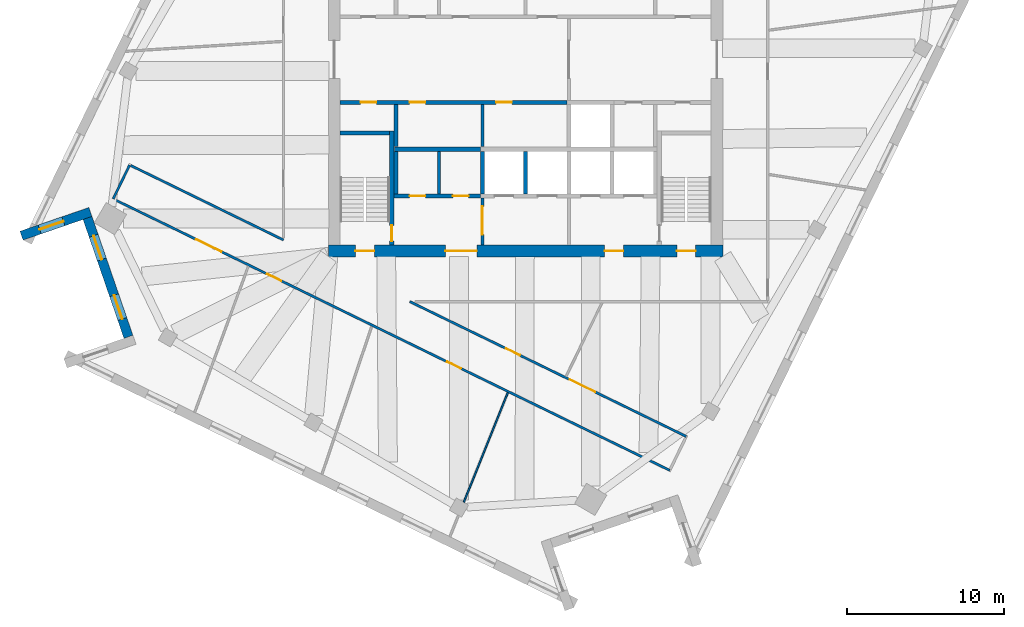
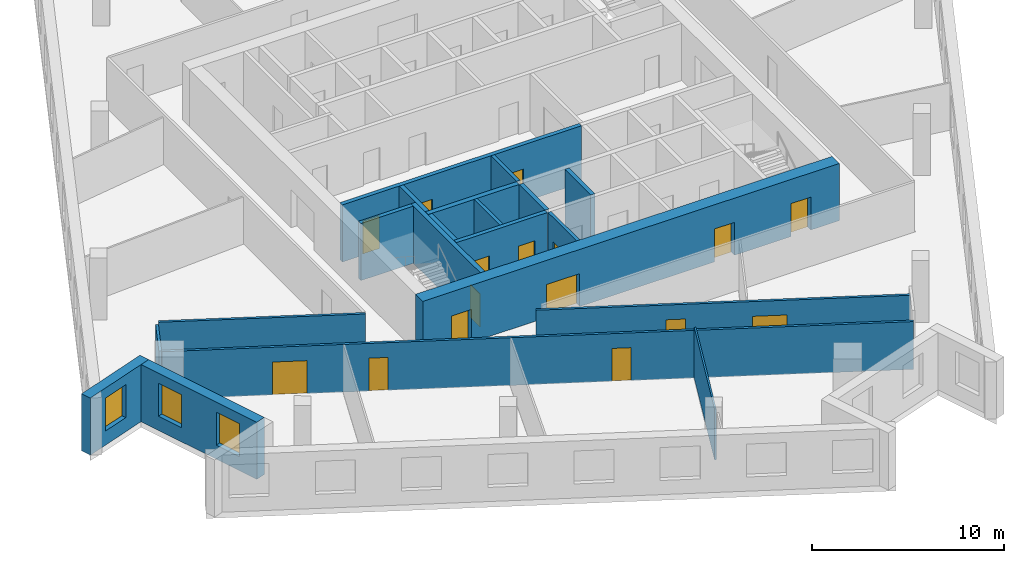
# One storey, part 6 of 13: 20 walls, 16 doors, 3 windows, 19 openings.
"""IFC4 building model written with IfcOpenShell, lengths in metres."""

from ifc_helpers import new_model, si_unit, direction, frame, frame_2d, origin, place, context, subcontext, project, spatial, rectangle, extrude, material, layer, layer_set, type_object, element, fill, save


model = new_model("IFC4")

# Units and contexts
model_context = context("Model", 3, precision=1e-05, world=origin(), true_north=direction((0.0, 1.0)))
body_context = subcontext(model_context, "Body", "Model", "MODEL_VIEW")
ifc_project = project(units=[si_unit("LENGTHUNIT", "METRE"), si_unit("AREAUNIT", "SQUARE_METRE"), si_unit("VOLUMEUNIT", "CUBIC_METRE"), si_unit("PLANEANGLEUNIT", "RADIAN"), si_unit("MASSUNIT", "GRAM", prefix="KILO")], contexts=[model_context])

# Site, building, storey
site_placement = place(None, origin())
site = spatial("IfcSite", under=ifc_project, at=site_placement, CompositionType="ELEMENT")
building_placement = place(site_placement, origin())
building = spatial("IfcBuilding", under=site, at=building_placement, Name="Dilmun Exchange Tower", CompositionType="ELEMENT")
storey_placement = place(building_placement, frame((0.0, 0.0, 286.89990234375)))
storey = spatial("IfcBuildingStorey", under=building, at=storey_placement, Name="L68", CompositionType="ELEMENT", Elevation=286.89990234375)

# Wall, opening, door
ifc_material_1 = material(Name="Concrete C40/50", Category="concrete")
ifc_layer_1 = layer(ifc_material_1, 0.199951171875)
ifc_layer_set_1 = layer_set([ifc_layer_1], Name="Concrete C40/50")
wall_type_1 = type_object("IfcWallType", Name="Core partition wall 200", PredefinedType="PARTITIONING", material=ifc_layer_set_1)
wall_1_placement = place(storey_placement, frame((-2.75, -11.794921875, 0.0), z_axis=(0.0, 0.0, 1.0), x_axis=(0.0, 1.0, 0.0)))
wall_1 = element("IfcWall", 1, at=wall_1_placement, inside=storey, type_object=wall_type_1, Name="L68 core partition wall 01", PredefinedType="PARTITIONING", context=body_context, shape_type="SweptSolid", body=[
    extrude(rectangle(XDim=2.989990234375, YDim=0.199951171875, at=frame_2d((1.4951171875, 0.0))), origin(), (0.0, 0.0, 1.0), 3.64013671875),
])
opening_1_placement = place(wall_1_placement, frame((0.657470703125, 0.0, 0.0)))
opening_1 = element("IfcOpeningElement", 2, at=opening_1_placement, cuts=wall_1, Name="Opening CD5", PredefinedType="OPENING", context=body_context, shape_type="SweptSolid", body=[
    extrude(rectangle(XDim=1.800048828125, YDim=2.10009765625, at=frame_2d((0.89990234375, 1.050048828125))), frame((0.0, 0.10986328125, 0.0), z_axis=(0.0, -1.0, 0.0), x_axis=(1.0, 0.0, 0.0)), (0.0, 0.0, 1.0), 0.219970703125),
])
ifc_material_2 = material(Name="Fire-rated steel door set", Category="steel")
door_type_1 = type_object("IfcDoorType", Name="Stair exit door 1800x2100", OperationType="SINGLE_SWING_LEFT", PredefinedType="DOOR", material=ifc_material_2)
door_1_placement = place(opening_1_placement, origin())
door_1 = element("IfcDoor", 3, at=door_1_placement, inside=storey, type_object=door_type_1, Name="L68 door Service lobby east", OperationType="SINGLE_SWING_LEFT", OverallHeight=2.10009765625, OverallWidth=1.800048828125, PredefinedType="DOOR", context=body_context, shape_type="SweptSolid", body=[
    extrude(rectangle(XDim=1.800048828125, YDim=2.10009765625, at=frame_2d((0.89990234375, 1.050048828125))), frame((0.0, 0.02490234375, 0.0), z_axis=(0.0, -1.0, 0.0), x_axis=(1.0, 0.0, 0.0)), (0.0, 0.0, 1.0), 0.050048828125),
])
fill(opening_1, door_1)

# Walls
for number, where, z_axis, x_axis, name in (
    (4, (-5.5, -8.544921875, 0.0), (0.0, 0.0, 1.0), (0.0, 1.0, 0.0), "L68 core partition wall 05"),
    (5, (-2.75, -5.544921875, 0.0), (0.0, 0.0, 1.0), (0.0, 1.0, 0.0), "L68 core partition wall 08"),
):
    element("IfcWall", number, at=place(storey_placement, frame(where, z_axis=z_axis, x_axis=x_axis)), inside=storey, type_object=wall_type_1, Name=name, PredefinedType="PARTITIONING", context=body_context, shape_type="SweptSolid", body=[
        extrude(rectangle(XDim=2.68994140625, YDim=0.199951171875, at=frame_2d((1.344970703125, 0.0))), origin(), (0.0, 0.0, 1.0), 3.64013671875),
    ])

# Wall, openings, doors
ifc_layer_2 = layer(ifc_material_1, 0.25)
ifc_layer_set_2 = layer_set([ifc_layer_2], Name="Concrete C40/50")
wall_type_2 = type_object("IfcWallType", Name="Core partition wall 250", PredefinedType="PARTITIONING", material=ifc_layer_set_2)
wall_2_placement = place(storey_placement, frame((-8.3701171875, -8.675048828125, 0.0), z_axis=(0.0, 0.0, 1.0), x_axis=(1.0, 0.0, 0.0)))
wall_2 = element("IfcWall", 6, at=wall_2_placement, inside=storey, type_object=wall_type_2, Name="L68 core partition wall 03", PredefinedType="PARTITIONING", context=body_context, shape_type="SweptSolid", body=[
    extrude(rectangle(XDim=5.490234375, YDim=0.25, at=frame_2d((2.7451171875, 0.0))), origin(), (0.0, 0.0, 1.0), 3.64013671875),
])
opening_2_placement = place(wall_2_placement, frame((0.9951171875, 0.0, 0.0)))
opening_2 = element("IfcOpeningElement", 7, at=opening_2_placement, cuts=wall_2, Name="Opening CD4", PredefinedType="OPENING", context=body_context, shape_type="SweptSolid", body=[
    extrude(rectangle(XDim=1.0, YDim=2.10009765625, at=frame_2d((0.5, 1.050048828125))), frame((0.0, 0.135009765625, 0.0), z_axis=(0.0, -1.0, 0.0), x_axis=(1.0, 0.0, 0.0)), (0.0, 0.0, 1.0), 0.27001953125),
])
opening_3_placement = place(wall_2_placement, frame((3.7451171875, 0.0, 0.0)))
opening_3 = element("IfcOpeningElement", 8, at=opening_3_placement, cuts=wall_2, Name="Opening CD4", PredefinedType="OPENING", context=body_context, shape_type="SweptSolid", body=[
    extrude(rectangle(XDim=1.0, YDim=2.10009765625, at=frame_2d((0.5, 1.050048828125))), frame((0.0, 0.135009765625, 0.0), z_axis=(0.0, -1.0, 0.0), x_axis=(1.0, 0.0, 0.0)), (0.0, 0.0, 1.0), 0.27001953125),
])
door_type_2 = type_object("IfcDoorType", Name="Core room door 1000x2100", OperationType="SINGLE_SWING_LEFT", PredefinedType="DOOR", material=ifc_material_2)
door_2_placement = place(opening_2_placement, origin())
door_2 = element("IfcDoor", 9, at=door_2_placement, inside=storey, type_object=door_type_2, Name="L68 door Male WC", OperationType="SINGLE_SWING_LEFT", OverallHeight=2.10009765625, OverallWidth=1.0, PredefinedType="DOOR", context=body_context, shape_type="SweptSolid", body=[
    extrude(rectangle(XDim=1.0, YDim=2.10009765625, at=frame_2d((0.5, 1.050048828125))), frame((0.0, 0.02490234375, 0.0), z_axis=(0.0, -1.0, 0.0), x_axis=(1.0, 0.0, 0.0)), (0.0, 0.0, 1.0), 0.050048828125),
])
fill(opening_2, door_2)
door_3_placement = place(opening_3_placement, origin())
door_3 = element("IfcDoor", 10, at=door_3_placement, inside=storey, type_object=door_type_2, Name="L68 door Female WC", OperationType="SINGLE_SWING_LEFT", OverallHeight=2.10009765625, OverallWidth=1.0, PredefinedType="DOOR", context=body_context, shape_type="SweptSolid", body=[
    extrude(rectangle(XDim=1.0, YDim=2.10009765625, at=frame_2d((0.5, 1.050048828125))), frame((0.0, 0.02490234375, 0.0), z_axis=(0.0, -1.0, 0.0), x_axis=(1.0, 0.0, 0.0)), (0.0, 0.0, 1.0), 0.050048828125),
])
fill(opening_3, door_3)

# Walls
for number, where, z_axis, x_axis, name in (
    (11, (-8.25, -8.544921875, 0.0), (0.0, 0.0, 1.0), (0.0, 1.0, 0.0), "L68 core partition wall 04"),
    (12, (-8.25, -5.544921875, 0.0), (0.0, 0.0, 1.0), (0.0, 1.0, 0.0), "L68 core partition wall 07"),
):
    element("IfcWall", number, at=place(storey_placement, frame(where, z_axis=z_axis, x_axis=x_axis)), inside=storey, type_object=wall_type_2, Name=name, PredefinedType="PARTITIONING", context=body_context, shape_type="SweptSolid", body=[
        extrude(rectangle(XDim=2.68994140625, YDim=0.25, at=frame_2d((1.344970703125, 0.0))), origin(), (0.0, 0.0, 1.0), 3.64013671875),
    ])

# Wall, openings, doors
wall_3_placement = place(storey_placement, frame((-11.794921875, -2.72509765625, 0.0), z_axis=(0.0, 0.0, 1.0), x_axis=(1.0, 0.0, 0.0)))
wall_3 = element("IfcWall", 13, at=wall_3_placement, inside=storey, type_object=wall_type_2, Name="L68 core partition wall 10", PredefinedType="PARTITIONING", context=body_context, shape_type="SweptSolid", body=[
    extrude(rectangle(XDim=14.4150390625, YDim=0.25, at=frame_2d((7.20751953125, 0.0))), origin(), (0.0, 0.0, 1.0), 3.64013671875),
])
opening_4_placement = place(wall_3_placement, frame((1.294921875, 0.0, 0.0)))
opening_4 = element("IfcOpeningElement", 14, at=opening_4_placement, cuts=wall_3, Name="Opening CD4", PredefinedType="OPENING", context=body_context, shape_type="SweptSolid", body=[
    extrude(rectangle(XDim=1.0, YDim=2.10009765625, at=frame_2d((0.5, 1.050048828125))), frame((0.0, 0.135009765625, 0.0), z_axis=(0.0, -1.0, 0.0), x_axis=(1.0, 0.0, 0.0)), (0.0, 0.0, 1.0), 0.27001953125),
])
opening_5_placement = place(wall_3_placement, frame((4.419921875, 0.0, 0.0)))
opening_5 = element("IfcOpeningElement", 15, at=opening_5_placement, cuts=wall_3, Name="Opening CD4", PredefinedType="OPENING", context=body_context, shape_type="SweptSolid", body=[
    extrude(rectangle(XDim=1.0, YDim=2.10009765625, at=frame_2d((0.5, 1.050048828125))), frame((0.0, 0.135009765625, 0.0), z_axis=(0.0, -1.0, 0.0), x_axis=(1.0, 0.0, 0.0)), (0.0, 0.0, 1.0), 0.27001953125),
])
opening_6_placement = place(wall_3_placement, frame((9.919921875, 0.0, 0.0)))
opening_6 = element("IfcOpeningElement", 16, at=opening_6_placement, cuts=wall_3, Name="Opening CD4", PredefinedType="OPENING", context=body_context, shape_type="SweptSolid", body=[
    extrude(rectangle(XDim=1.0, YDim=2.10009765625, at=frame_2d((0.5, 1.050048828125))), frame((0.0, 0.135009765625, 0.0), z_axis=(0.0, -1.0, 0.0), x_axis=(1.0, 0.0, 0.0)), (0.0, 0.0, 1.0), 0.27001953125),
])
door_4_placement = place(opening_4_placement, origin())
door_4 = element("IfcDoor", 17, at=door_4_placement, inside=storey, type_object=door_type_2, Name="L68 door Accessible WC", OperationType="SINGLE_SWING_LEFT", OverallHeight=2.10009765625, OverallWidth=1.0, PredefinedType="DOOR", context=body_context, shape_type="SweptSolid", body=[
    extrude(rectangle(XDim=1.0, YDim=2.10009765625, at=frame_2d((0.5, 1.050048828125))), frame((0.0, 0.02490234375, 0.0), z_axis=(0.0, -1.0, 0.0), x_axis=(1.0, 0.0, 0.0)), (0.0, 0.0, 1.0), 0.050048828125),
])
fill(opening_4, door_4)
door_5_placement = place(opening_5_placement, origin())
door_5 = element("IfcDoor", 18, at=door_5_placement, inside=storey, type_object=door_type_2, Name="L68 door Tenant services room", OperationType="SINGLE_SWING_LEFT", OverallHeight=2.10009765625, OverallWidth=1.0, PredefinedType="DOOR", context=body_context, shape_type="SweptSolid", body=[
    extrude(rectangle(XDim=1.0, YDim=2.10009765625, at=frame_2d((0.5, 1.050048828125))), frame((0.0, 0.02490234375, 0.0), z_axis=(0.0, -1.0, 0.0), x_axis=(1.0, 0.0, 0.0)), (0.0, 0.0, 1.0), 0.050048828125),
])
fill(opening_5, door_5)
door_6_placement = place(opening_6_placement, origin())
door_6 = element("IfcDoor", 19, at=door_6_placement, inside=storey, type_object=door_type_2, Name="L68 door Archive store", OperationType="SINGLE_SWING_LEFT", OverallHeight=2.10009765625, OverallWidth=1.0, PredefinedType="DOOR", context=body_context, shape_type="SweptSolid", body=[
    extrude(rectangle(XDim=1.0, YDim=2.10009765625, at=frame_2d((0.5, 1.050048828125))), frame((0.0, 0.02490234375, 0.0), z_axis=(0.0, -1.0, 0.0), x_axis=(1.0, 0.0, 0.0)), (0.0, 0.0, 1.0), 0.050048828125),
])
fill(opening_6, door_6)

# Wall
ifc_layer_3 = layer(ifc_material_1, 0.300048828125)
ifc_layer_set_3 = layer_set([ifc_layer_3], Name="Concrete C40/50")
wall_type_3 = type_object("IfcWallType", Name="Core partition wall 300", PredefinedType="PARTITIONING", material=ifc_layer_set_3)
wall_4_placement = place(storey_placement, frame((-8.35009765625, -5.699951171875, 0.0), z_axis=(0.0, 0.0, 1.0), x_axis=(1.0, 0.0, 0.0)))
element("IfcWall", 20, at=wall_4_placement, inside=storey, type_object=wall_type_3, Name="L68 core partition wall 06", PredefinedType="PARTITIONING", context=body_context, shape_type="SweptSolid", body=[
    extrude(rectangle(XDim=5.47021484375, YDim=0.300048828125, at=frame_2d((2.735107421875, 0.0))), origin(), (0.0, 0.0, 1.0), 3.64013671875),
])

# Wall, openings, doors
ifc_material_3 = material(Name="Concrete C50/60", Category="concrete")
ifc_layer_4 = layer(ifc_material_3, 0.75)
ifc_layer_set_4 = layer_set([ifc_layer_4], Name="Concrete C50/60")
wall_type_4 = type_object("IfcWallType", Name="Core shear wall 750 Concrete C50/60", PredefinedType="SHEAR", material=ifc_layer_set_4)
wall_5_placement = place(storey_placement, frame((-12.550048828125, -12.175048828125, 0.0), z_axis=(0.0, 0.0, 1.0), x_axis=(1.0, 0.0, 0.0)))
wall_5 = element("IfcWall", 21, at=wall_5_placement, inside=storey, type_object=wall_type_4, Name="L68 core shear wall S", PredefinedType="SHEAR", context=body_context, shape_type="SweptSolid", body=[
    extrude(rectangle(XDim=25.10009765625, YDim=0.75, at=frame_2d((12.550048828125, 0.0))), origin(), (0.0, 0.0, 1.0), 3.64013671875),
])
opening_7_placement = place(wall_5_placement, frame((7.449951171875, 0.0, 0.0)))
opening_7 = element("IfcOpeningElement", 22, at=opening_7_placement, cuts=wall_5, Name="Opening CD2", PredefinedType="OPENING", context=body_context, shape_type="SweptSolid", body=[
    extrude(rectangle(XDim=2.0, YDim=2.10009765625, at=frame_2d((1.0, 1.050048828125))), frame((0.0, 0.385009765625, 0.0), z_axis=(0.0, -1.0, 0.0), x_axis=(1.0, 0.0, 0.0)), (0.0, 0.0, 1.0), 0.77001953125),
])
opening_8_placement = place(wall_5_placement, frame((17.574951171875, 0.0, 0.0)))
opening_8 = element("IfcOpeningElement", 23, at=opening_8_placement, cuts=wall_5, Name="Opening CD3", PredefinedType="OPENING", context=body_context, shape_type="SweptSolid", body=[
    extrude(rectangle(XDim=1.199951171875, YDim=2.10009765625, at=frame_2d((0.60009765625, 1.050048828125))), frame((0.0, 0.385009765625, 0.0), z_axis=(0.0, -1.0, 0.0), x_axis=(1.0, 0.0, 0.0)), (0.0, 0.0, 1.0), 0.77001953125),
])
opening_9_placement = place(wall_5_placement, frame((1.72509765625, 0.0, 0.0)))
opening_9 = element("IfcOpeningElement", 24, at=opening_9_placement, cuts=wall_5, Name="Opening CD3", PredefinedType="OPENING", context=body_context, shape_type="SweptSolid", body=[
    extrude(rectangle(XDim=1.199951171875, YDim=2.10009765625, at=frame_2d((0.60009765625, 1.050048828125))), frame((0.0, 0.385009765625, 0.0), z_axis=(0.0, -1.0, 0.0), x_axis=(1.0, 0.0, 0.0)), (0.0, 0.0, 1.0), 0.77001953125),
])
opening_10_placement = place(wall_5_placement, frame((22.175048828125, 0.0, 0.0)))
opening_10 = element("IfcOpeningElement", 25, at=opening_10_placement, cuts=wall_5, Name="Opening CD3", PredefinedType="OPENING", context=body_context, shape_type="SweptSolid", body=[
    extrude(rectangle(XDim=1.199951171875, YDim=2.10009765625, at=frame_2d((0.60009765625, 1.050048828125))), frame((0.0, 0.385009765625, 0.0), z_axis=(0.0, -1.0, 0.0), x_axis=(1.0, 0.0, 0.0)), (0.0, 0.0, 1.0), 0.77001953125),
])
door_type_3 = type_object("IfcDoorType", Name="Core service door 2000x2100", OperationType="DOUBLE_DOOR_DOUBLE_SWING", PredefinedType="DOOR", material=ifc_material_2)
door_7_placement = place(opening_7_placement, origin())
door_7 = element("IfcDoor", 26, at=door_7_placement, inside=storey, type_object=door_type_3, Name="L68 door South service lobby", OperationType="SINGLE_SWING_LEFT", OverallHeight=2.10009765625, OverallWidth=2.0, PredefinedType="DOOR", context=body_context, shape_type="SweptSolid", body=[
    extrude(rectangle(XDim=2.0, YDim=2.10009765625, at=frame_2d((1.0, 1.050048828125))), frame((0.0, 0.02490234375, 0.0), z_axis=(0.0, -1.0, 0.0), x_axis=(1.0, 0.0, 0.0)), (0.0, 0.0, 1.0), 0.050048828125),
])
fill(opening_7, door_7)
door_type_4 = type_object("IfcDoorType", Name="Stair exit door 1200x2100", OperationType="SINGLE_SWING_LEFT", PredefinedType="DOOR", material=ifc_material_2)
door_8_placement = place(opening_8_placement, origin())
door_8 = element("IfcDoor", 27, at=door_8_placement, inside=storey, type_object=door_type_4, Name="L68 door Fire-fighting lobby", OperationType="SINGLE_SWING_LEFT", OverallHeight=2.10009765625, OverallWidth=1.199951171875, PredefinedType="DOOR", context=body_context, shape_type="SweptSolid", body=[
    extrude(rectangle(XDim=1.199951171875, YDim=2.10009765625, at=frame_2d((0.60009765625, 1.050048828125))), frame((0.0, 0.02490234375, 0.0), z_axis=(0.0, -1.0, 0.0), x_axis=(1.0, 0.0, 0.0)), (0.0, 0.0, 1.0), 0.050048828125),
])
fill(opening_8, door_8)
door_9_placement = place(opening_9_placement, origin())
door_9 = element("IfcDoor", 28, at=door_9_placement, inside=storey, type_object=door_type_4, Name="L68 door Stair ST2", OperationType="SINGLE_SWING_LEFT", OverallHeight=2.10009765625, OverallWidth=1.199951171875, PredefinedType="DOOR", context=body_context, shape_type="SweptSolid", body=[
    extrude(rectangle(XDim=1.199951171875, YDim=2.10009765625, at=frame_2d((0.60009765625, 1.050048828125))), frame((0.0, 0.02490234375, 0.0), z_axis=(0.0, -1.0, 0.0), x_axis=(1.0, 0.0, 0.0)), (0.0, 0.0, 1.0), 0.050048828125),
])
fill(opening_9, door_9)
door_10_placement = place(opening_10_placement, origin())
door_10 = element("IfcDoor", 29, at=door_10_placement, inside=storey, type_object=door_type_4, Name="L68 door Stair ST3", OperationType="SINGLE_SWING_LEFT", OverallHeight=2.10009765625, OverallWidth=1.199951171875, PredefinedType="DOOR", context=body_context, shape_type="SweptSolid", body=[
    extrude(rectangle(XDim=1.199951171875, YDim=2.10009765625, at=frame_2d((0.60009765625, 1.050048828125))), frame((0.0, 0.02490234375, 0.0), z_axis=(0.0, -1.0, 0.0), x_axis=(1.0, 0.0, 0.0)), (0.0, 0.0, 1.0), 0.050048828125),
])
fill(opening_10, door_10)

# Wall
ifc_material_4 = material(Name="Corridor wall 150")
ifc_layer_5 = layer(ifc_material_4, 0.14990234375)
ifc_layer_set_5 = layer_set([ifc_layer_5], Name="Corridor wall 150")
wall_type_5 = type_object("IfcWallType", Name="Corridor wall 150", PredefinedType="PARTITIONING", material=ifc_layer_set_5)
wall_6_placement = place(storey_placement, frame((-26.241943359375, -8.864990234375, 0.0), z_axis=(0.0, 0.0, 1.0), x_axis=(0.438361496965, 0.898798752769, 0.0)))
element("IfcWall", 30, at=wall_6_placement, inside=storey, type_object=wall_type_5, Name="Corridor wall", PredefinedType="PARTITIONING", context=body_context, shape_type="SweptSolid", body=[
    extrude(rectangle(XDim=2.39990234375, YDim=0.14990234375, at=frame_2d((1.199951171875, 0.0))), origin(), (0.0, 0.0, 1.0), 3.0400390625),
])

# Wall, openings, doors
wall_7_placement = place(storey_placement, frame((-26.174560546875, -8.89794921875, 0.0), z_axis=(0.0, 0.0, 1.0), x_axis=(0.898795233888, -0.438368711864, 0.0)))
wall_7 = element("IfcWall", 31, at=wall_7_placement, inside=storey, type_object=wall_type_5, Name="Corridor wall", PredefinedType="PARTITIONING", context=body_context, shape_type="SweptSolid", body=[
    extrude(rectangle(XDim=39.325439453125, YDim=0.14990234375, at=frame_2d((19.66259765625, 0.0))), origin(), (0.0, 0.0, 1.0), 3.0400390625),
])
opening_11_placement = place(wall_7_placement, frame((5.800048828125, 0.0, 0.0)))
opening_11 = element("IfcOpeningElement", 32, at=opening_11_placement, cuts=wall_7, Name="Opening TF67-D01", PredefinedType="OPENING", context=body_context, shape_type="SweptSolid", body=[
    extrude(rectangle(XDim=1.800048828125, YDim=2.10009765625, at=frame_2d((0.89990234375, 1.050048828125))), frame((0.0, 0.0849609375, 0.0), z_axis=(0.0, -1.0, 0.0), x_axis=(1.0, 0.0, 0.0)), (0.0, 0.0, 1.0), 0.169921875),
])
opening_12_placement = place(wall_7_placement, frame((10.826904296875, 0.0, 0.0)))
opening_12 = element("IfcOpeningElement", 33, at=opening_12_placement, cuts=wall_7, Name="Opening TF67-D04", PredefinedType="OPENING", context=body_context, shape_type="SweptSolid", body=[
    extrude(rectangle(XDim=1.0, YDim=2.10009765625, at=frame_2d((0.5, 1.050048828125))), frame((0.0, 0.0849609375, 0.0), z_axis=(0.0, -1.0, 0.0), x_axis=(1.0, 0.0, 0.0)), (0.0, 0.0, 1.0), 0.169921875),
])
opening_13_placement = place(wall_7_placement, frame((23.55615234375, 0.0, 0.0)))
opening_13 = element("IfcOpeningElement", 34, at=opening_13_placement, cuts=wall_7, Name="Opening TF67-D07", PredefinedType="OPENING", context=body_context, shape_type="SweptSolid", body=[
    extrude(rectangle(XDim=1.0, YDim=2.10009765625, at=frame_2d((0.5, 1.050048828125))), frame((0.0, 0.0849609375, 0.0), z_axis=(0.0, -1.0, 0.0), x_axis=(1.0, 0.0, 0.0)), (0.0, 0.0, 1.0), 0.169921875),
])
ifc_material_5 = material(Name="Fire door 1000 x 2100")
door_type_5 = type_object("IfcDoorType", Name="Fire door 1000 x 2100", OperationType="NOTDEFINED", PredefinedType="DOOR", material=ifc_material_5)
door_11_placement = place(opening_12_placement, frame((1.0, 0.0, 0.0), z_axis=(0.0, 0.0, 1.0), x_axis=(-1.0, 0.0, 0.0)))
door_11 = element("IfcDoor", 35, at=door_11_placement, inside=storey, type_object=door_type_5, Name="Door TF67-D04", OperationType="SINGLE_SWING_RIGHT", OverallHeight=2.10009765625, OverallWidth=1.0, PredefinedType="DOOR", context=body_context, shape_type="SweptSolid", body=[
    extrude(rectangle(XDim=1.0, YDim=2.10009765625, at=frame_2d((0.5, 1.050048828125))), frame((0.0, 0.02490234375, 0.0), z_axis=(0.0, -1.0, 0.0), x_axis=(1.0, 0.0, 0.0)), (0.0, 0.0, 1.0), 0.050048828125),
])
fill(opening_12, door_11)
door_12_placement = place(opening_13_placement, frame((1.0, 0.0, 0.0), z_axis=(0.0, 0.0, 1.0), x_axis=(-1.0, 0.0, 0.0)))
door_12 = element("IfcDoor", 36, at=door_12_placement, inside=storey, type_object=door_type_5, Name="Door TF67-D07", OperationType="SINGLE_SWING_LEFT", OverallHeight=2.10009765625, OverallWidth=1.0, PredefinedType="DOOR", context=body_context, shape_type="SweptSolid", body=[
    extrude(rectangle(XDim=1.0, YDim=2.10009765625, at=frame_2d((0.5, 1.050048828125))), frame((0.0, 0.02490234375, 0.0), z_axis=(0.0, -1.0, 0.0), x_axis=(1.0, 0.0, 0.0)), (0.0, 0.0, 1.0), 0.050048828125),
])
fill(opening_13, door_12)
ifc_material_6 = material(Name="Fire door pair 1800 x 2100")
door_type_6 = type_object("IfcDoorType", Name="Fire door pair 1800 x 2100", OperationType="NOTDEFINED", PredefinedType="DOOR", material=ifc_material_6)
door_13_placement = place(opening_11_placement, frame((1.800048828125, 0.0, 0.0), z_axis=(0.0, 0.0, 1.0), x_axis=(-1.0, 0.0, 0.0)))
door_13 = element("IfcDoor", 37, at=door_13_placement, inside=storey, type_object=door_type_6, Name="Door TF67-D01", OperationType="DOUBLE_DOOR_SINGLE_SWING", OverallHeight=2.10009765625, OverallWidth=1.800048828125, PredefinedType="DOOR", context=body_context, shape_type="SweptSolid", body=[
    extrude(rectangle(XDim=1.800048828125, YDim=2.10009765625, at=frame_2d((0.89990234375, 1.050048828125))), frame((0.0, 0.02490234375, 0.0), z_axis=(0.0, -1.0, 0.0), x_axis=(1.0, 0.0, 0.0)), (0.0, 0.0, 1.0), 0.050048828125),
])
fill(opening_11, door_13)

# Wall
wall_8_placement = place(storey_placement, frame((-25.12255859375, -6.740966796875, 0.0), z_axis=(0.0, 0.0, 1.0), x_axis=(0.898798159951, -0.438362712453, 0.0)))
element("IfcWall", 38, at=wall_8_placement, inside=storey, type_object=wall_type_5, Name="Corridor wall", PredefinedType="PARTITIONING", context=body_context, shape_type="SweptSolid", body=[
    extrude(rectangle(XDim=10.8173828125, YDim=0.14990234375, at=frame_2d((5.40869140625, 0.0))), origin(), (0.0, 0.0, 1.0), 3.239990234375),
])

# Wall, openings, doors
wall_9_placement = place(storey_placement, frame((-7.367919921875, -15.39990234375, 0.0), z_axis=(0.0, 0.0, 1.0), x_axis=(0.898784749485, -0.438390207571, 0.0)))
wall_9 = element("IfcWall", 39, at=wall_9_placement, inside=storey, type_object=wall_type_5, Name="Corridor wall", PredefinedType="PARTITIONING", context=body_context, shape_type="SweptSolid", body=[
    extrude(rectangle(XDim=19.57177734375, YDim=0.14990234375, at=frame_2d((9.785888671875, 0.0))), origin(), (0.0, 0.0, 1.0), 3.0400390625),
])
opening_14_placement = place(wall_9_placement, frame((6.800048828125, 0.0, 0.0)))
opening_14 = element("IfcOpeningElement", 40, at=opening_14_placement, cuts=wall_9, Name="Opening TF67-D09", PredefinedType="OPENING", context=body_context, shape_type="SweptSolid", body=[
    extrude(rectangle(XDim=1.0, YDim=2.10009765625, at=frame_2d((0.5, 1.050048828125))), frame((0.0, 0.0849609375, 0.0), z_axis=(0.0, -1.0, 0.0), x_axis=(1.0, 0.0, 0.0)), (0.0, 0.0, 1.0), 0.169921875),
])
opening_15_placement = place(wall_9_placement, frame((11.323974609375, 0.0, 0.0)))
opening_15 = element("IfcOpeningElement", 41, at=opening_15_placement, cuts=wall_9, Name="Opening TF67-D12", PredefinedType="OPENING", context=body_context, shape_type="SweptSolid", body=[
    extrude(rectangle(XDim=1.800048828125, YDim=2.10009765625, at=frame_2d((0.89990234375, 1.050048828125))), frame((0.0, 0.0849609375, 0.0), z_axis=(0.0, -1.0, 0.0), x_axis=(1.0, 0.0, 0.0)), (0.0, 0.0, 1.0), 0.169921875),
])
door_14_placement = place(opening_14_placement, origin())
door_14 = element("IfcDoor", 42, at=door_14_placement, inside=storey, type_object=door_type_5, Name="Door TF67-D09", OperationType="SINGLE_SWING_LEFT", OverallHeight=2.10009765625, OverallWidth=1.0, PredefinedType="DOOR", context=body_context, shape_type="SweptSolid", body=[
    extrude(rectangle(XDim=1.0, YDim=2.10009765625, at=frame_2d((0.5, 1.050048828125))), frame((0.0, 0.02490234375, 0.0), z_axis=(0.0, -1.0, 0.0), x_axis=(1.0, 0.0, 0.0)), (0.0, 0.0, 1.0), 0.050048828125),
])
fill(opening_14, door_14)
door_15_placement = place(opening_15_placement, origin())
door_15 = element("IfcDoor", 43, at=door_15_placement, inside=storey, type_object=door_type_6, Name="Door TF67-D12", OperationType="DOUBLE_DOOR_SINGLE_SWING", OverallHeight=2.10009765625, OverallWidth=1.800048828125, PredefinedType="DOOR", context=body_context, shape_type="SweptSolid", body=[
    extrude(rectangle(XDim=1.800048828125, YDim=2.10009765625, at=frame_2d((0.89990234375, 1.050048828125))), frame((0.0, 0.02490234375, 0.0), z_axis=(0.0, -1.0, 0.0), x_axis=(1.0, 0.0, 0.0)), (0.0, 0.0, 1.0), 0.050048828125),
])
fill(opening_15, door_15)

# Walls
ifc_layer_6 = layer(ifc_material_1, 0.25)
ifc_layer_set_6 = layer_set([ifc_layer_6], Name="Concrete C40/50")
wall_type_6 = type_object("IfcWallType", Name="Lift shaft wall 250", PredefinedType="SOLIDWALL", material=ifc_layer_set_6)
for number, where, z_axis, x_axis, name in (
    (44, (-2.75, -8.550048828125, 0.0), (0.0, 0.0, 1.0), (0.0, 1.0, 0.0), "L68 lift shaft divider S22"),
    (45, (0.0, -8.550048828125, 0.0), (0.0, 0.0, 1.0), (0.0, 1.0, 0.0), "L68 lift shaft divider S23"),
):
    element("IfcWall", number, at=place(storey_placement, frame(where, z_axis=z_axis, x_axis=x_axis)), inside=storey, type_object=wall_type_6, Name=name, PredefinedType="SOLIDWALL", context=body_context, shape_type="SweptSolid", body=[
        extrude(rectangle(XDim=2.699951171875, YDim=0.25, at=frame_2d((1.35009765625, 0.0))), origin(), (0.0, 0.0, 1.0), 3.64013671875),
    ])
ifc_material_7 = material(Name="Partition 100")
ifc_layer_7 = layer(ifc_material_7, 0.10009765625)
ifc_layer_set_7 = layer_set([ifc_layer_7], Name="Partition 100")
wall_type_7 = type_object("IfcWallType", Name="Partition 100", PredefinedType="PARTITIONING", material=ifc_layer_set_7)
wall_10_placement = place(storey_placement, frame((-3.93408203125, -28.16357421875, 0.0), z_axis=(0.0, 0.0, 1.0), x_axis=(0.373060891907, 0.92780686079, 0.0)))
element("IfcWall", 46, at=wall_10_placement, inside=storey, type_object=wall_type_7, Name="Partition", PredefinedType="PARTITIONING", context=body_context, shape_type="SweptSolid", body=[
    extrude(rectangle(XDim=7.507568359375, YDim=0.10009765625, at=frame_2d((3.75390625, 0.0))), origin(), (0.0, 0.0, 1.0), 3.239990234375),
])

# Wall, opening, window
ifc_material_8 = material(Name="Precast concrete C50/60", Category="concrete")
ifc_layer_8 = layer(ifc_material_8, 0.60009765625)
ifc_layer_set_8 = layer_set([ifc_layer_8], Name="Precast concrete C50/60")
wall_type_8 = type_object("IfcWallType", Name="Precast stone-clad wall 600", PredefinedType="STANDARD", material=ifc_layer_set_8)
wall_11_placement = place(storey_placement, frame((-32.0703125, -11.206298828125, 0.0), z_axis=(0.0, 0.0, 1.0), x_axis=(0.945524563242, 0.325550764561, 0.0)))
wall_11 = element("IfcWall", 47, at=wall_11_placement, inside=storey, type_object=wall_type_8, Name="Facade wall L68-04", PredefinedType="STANDARD", context=body_context, shape_type="SweptSolid", body=[
    extrude(rectangle(XDim=4.63525390625, YDim=0.60009765625, at=frame_2d((2.317626953125, 0.0))), origin(), (0.0, 0.0, 1.0), 3.64013671875),
])
opening_16_placement = place(wall_11_placement, frame((1.2177734375, 0.0, 0.89990234375)))
opening_16 = element("IfcOpeningElement", 48, at=opening_16_placement, cuts=wall_11, Name="Opening W160-210", PredefinedType="OPENING", context=body_context, shape_type="SweptSolid", body=[
    extrude(rectangle(XDim=1.60009765625, YDim=2.10009765625, at=frame_2d((0.800048828125, 1.050048828125))), frame((0.0, 0.31005859375, 0.0), z_axis=(0.0, -1.0, 0.0), x_axis=(1.0, 0.0, 0.0)), (0.0, 0.0, 1.0), 0.6201171875),
])
ifc_material_9 = material(Name="Clear low-emissivity glass in aluminium frame", Category="aluminium")
window_type = type_object("IfcWindowType", Name="Punched window 1600 x 2100", PartitioningType="DOUBLE_PANEL_VERTICAL", PredefinedType="WINDOW", material=ifc_material_9)
window_1_placement = place(opening_16_placement, origin())
window_1 = element("IfcWindow", 49, at=window_1_placement, inside=storey, type_object=window_type, Name="Window 5.1", OverallHeight=2.10009765625, OverallWidth=1.60009765625, PartitioningType="SINGLE_PANEL", PredefinedType="WINDOW", context=body_context, shape_type="SweptSolid", body=[
    extrude(rectangle(XDim=1.60009765625, YDim=2.10009765625, at=frame_2d((0.800048828125, 1.050048828125))), frame((0.0, 0.030029296875, 0.0), z_axis=(0.0, -1.0, 0.0), x_axis=(1.0, 0.0, 0.0)), (0.0, 0.0, 1.0), 0.06005859375),
])
fill(opening_16, window_1)

# Wall, openings, windows
wall_12_placement = place(storey_placement, frame((-27.873291015625, -10.07861328125, 0.0), z_axis=(0.0, 0.0, 1.0), x_axis=(0.325569297229, -0.945518182111, 0.0)))
wall_12 = element("IfcWall", 50, at=wall_12_placement, inside=storey, type_object=wall_type_8, Name="Facade wall L68-05", PredefinedType="STANDARD", context=body_context, shape_type="SweptSolid", body=[
    extrude(rectangle(XDim=7.999755859375, YDim=0.60009765625, at=frame_2d((4.0, 0.0))), origin(), (0.0, 0.0, 1.0), 3.64013671875),
])
opening_17_placement = place(wall_12_placement, frame((1.199951171875, 0.0, 0.89990234375)))
opening_17 = element("IfcOpeningElement", 51, at=opening_17_placement, cuts=wall_12, Name="Opening W160-210", PredefinedType="OPENING", context=body_context, shape_type="SweptSolid", body=[
    extrude(rectangle(XDim=1.60009765625, YDim=2.10009765625, at=frame_2d((0.800048828125, 1.050048828125))), frame((0.0, 0.31005859375, 0.0), z_axis=(0.0, -1.0, 0.0), x_axis=(1.0, 0.0, 0.0)), (0.0, 0.0, 1.0), 0.6201171875),
])
opening_18_placement = place(wall_12_placement, frame((5.199951171875, 0.0, 0.89990234375)))
opening_18 = element("IfcOpeningElement", 52, at=opening_18_placement, cuts=wall_12, Name="Opening W160-210", PredefinedType="OPENING", context=body_context, shape_type="SweptSolid", body=[
    extrude(rectangle(XDim=1.60009765625, YDim=2.10009765625, at=frame_2d((0.800048828125, 1.050048828125))), frame((0.0, 0.31005859375, 0.0), z_axis=(0.0, -1.0, 0.0), x_axis=(1.0, 0.0, 0.0)), (0.0, 0.0, 1.0), 0.6201171875),
])
window_2_placement = place(opening_17_placement, origin())
window_2 = element("IfcWindow", 53, at=window_2_placement, inside=storey, type_object=window_type, Name="Window 6.1", OverallHeight=2.10009765625, OverallWidth=1.60009765625, PartitioningType="SINGLE_PANEL", PredefinedType="WINDOW", context=body_context, shape_type="SweptSolid", body=[
    extrude(rectangle(XDim=1.60009765625, YDim=2.10009765625, at=frame_2d((0.800048828125, 1.050048828125))), frame((0.0, 0.030029296875, 0.0), z_axis=(0.0, -1.0, 0.0), x_axis=(1.0, 0.0, 0.0)), (0.0, 0.0, 1.0), 0.06005859375),
])
fill(opening_17, window_2)
window_3_placement = place(opening_18_placement, origin())
window_3 = element("IfcWindow", 54, at=window_3_placement, inside=storey, type_object=window_type, Name="Window 6.2", OverallHeight=2.10009765625, OverallWidth=1.60009765625, PartitioningType="SINGLE_PANEL", PredefinedType="WINDOW", context=body_context, shape_type="SweptSolid", body=[
    extrude(rectangle(XDim=1.60009765625, YDim=2.10009765625, at=frame_2d((0.800048828125, 1.050048828125))), frame((0.0, 0.030029296875, 0.0), z_axis=(0.0, -1.0, 0.0), x_axis=(1.0, 0.0, 0.0)), (0.0, 0.0, 1.0), 0.06005859375),
])
fill(opening_18, window_3)

# Wall
ifc_layer_9 = layer(ifc_material_1, 0.25)
ifc_layer_set_9 = layer_set([ifc_layer_9], Name="Concrete C40/50")
wall_type_9 = type_object("IfcWallType", Name="Stair end wall 250", PredefinedType="SOLIDWALL", material=ifc_layer_set_9)
wall_13_placement = place(storey_placement, frame((-8.64990234375, -4.675048828125, 0.0), z_axis=(0.0, 0.0, 1.0), x_axis=(-1.0, 0.0, 0.0)))
element("IfcWall", 55, at=wall_13_placement, inside=storey, type_object=wall_type_9, Name="L68 ST2 far wall", PredefinedType="SOLIDWALL", context=body_context, shape_type="SweptSolid", body=[
    extrude(rectangle(XDim=3.150146484375, YDim=0.25, at=frame_2d((1.5751953125, 0.0))), origin(), (0.0, 0.0, 1.0), 3.64013671875),
])

# Wall, opening, door
ifc_layer_10 = layer(ifc_material_1, 0.27490234375)
ifc_layer_set_10 = layer_set([ifc_layer_10], Name="Concrete C40/50")
wall_type_10 = type_object("IfcWallType", Name="Stair wall 275", PredefinedType="SOLIDWALL", material=ifc_layer_set_10)
wall_14_placement = place(storey_placement, frame((-8.512451171875, -4.550048828125, 0.0), z_axis=(0.0, 0.0, 1.0), x_axis=(0.0, -1.0, 0.0)))
wall_14 = element("IfcWall", 56, at=wall_14_placement, inside=storey, type_object=wall_type_10, Name="L68 ST2 wall to lift block", PredefinedType="SOLIDWALL", context=body_context, shape_type="SweptSolid", body=[
    extrude(rectangle(XDim=7.25, YDim=0.27490234375, at=frame_2d((3.625, 0.0))), origin(), (0.0, 0.0, 1.0), 3.64013671875),
])
opening_19_placement = place(wall_14_placement, frame((6.0, 0.0, 0.0)))
opening_19 = element("IfcOpeningElement", 57, at=opening_19_placement, cuts=wall_14, Name="Opening CD4", PredefinedType="OPENING", context=body_context, shape_type="SweptSolid", body=[
    extrude(rectangle(XDim=1.0, YDim=2.10009765625, at=frame_2d((0.5, 1.050048828125))), frame((0.0, 0.1474609375, 0.0), z_axis=(0.0, -1.0, 0.0), x_axis=(1.0, 0.0, 0.0)), (0.0, 0.0, 1.0), 0.294921875),
])
door_16_placement = place(opening_19_placement, origin())
door_16 = element("IfcDoor", 58, at=door_16_placement, inside=storey, type_object=door_type_2, Name="L68 door ST2 from lobby", OperationType="SINGLE_SWING_LEFT", OverallHeight=2.10009765625, OverallWidth=1.0, PredefinedType="DOOR", context=body_context, shape_type="SweptSolid", body=[
    extrude(rectangle(XDim=1.0, YDim=2.10009765625, at=frame_2d((0.5, 1.050048828125))), frame((0.0, 0.02490234375, 0.0), z_axis=(0.0, -1.0, 0.0), x_axis=(1.0, 0.0, 0.0)), (0.0, 0.0, 1.0), 0.050048828125),
])
fill(opening_19, door_16)

save(model, "model.ifc")
